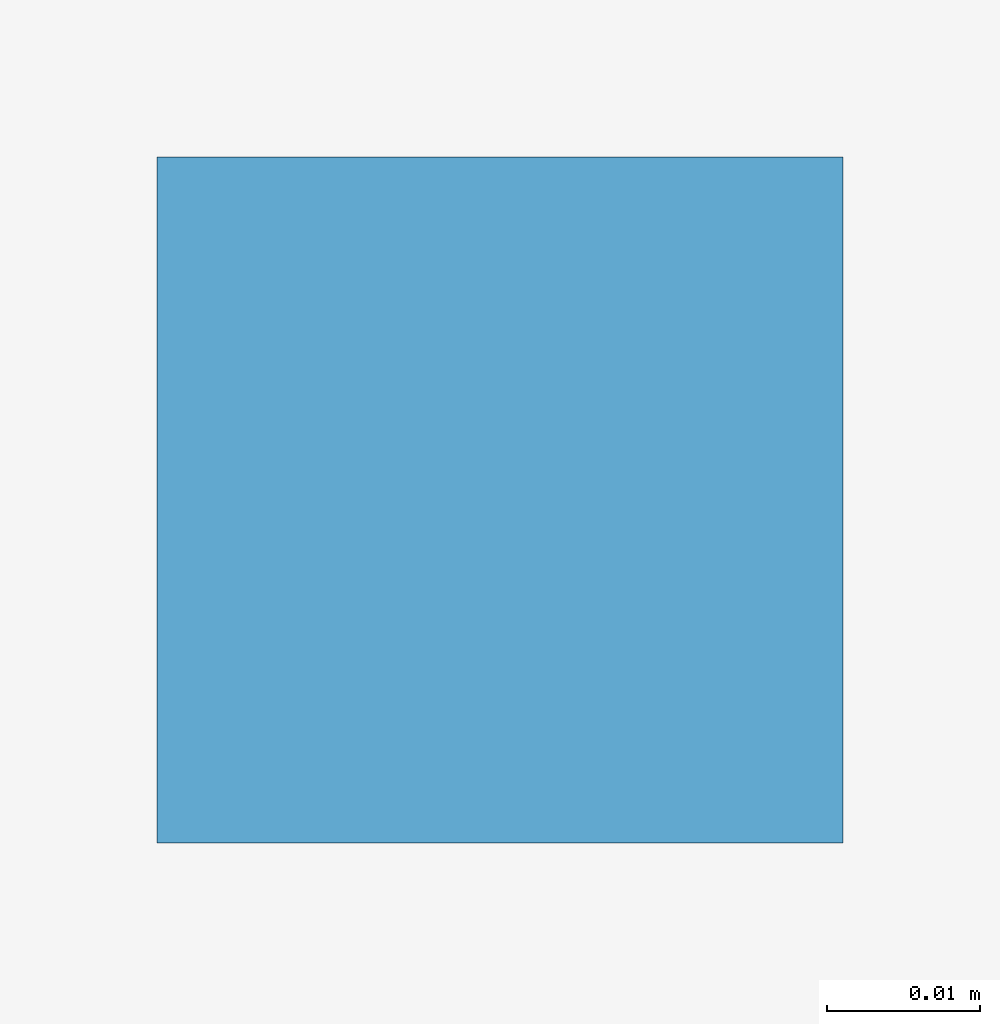
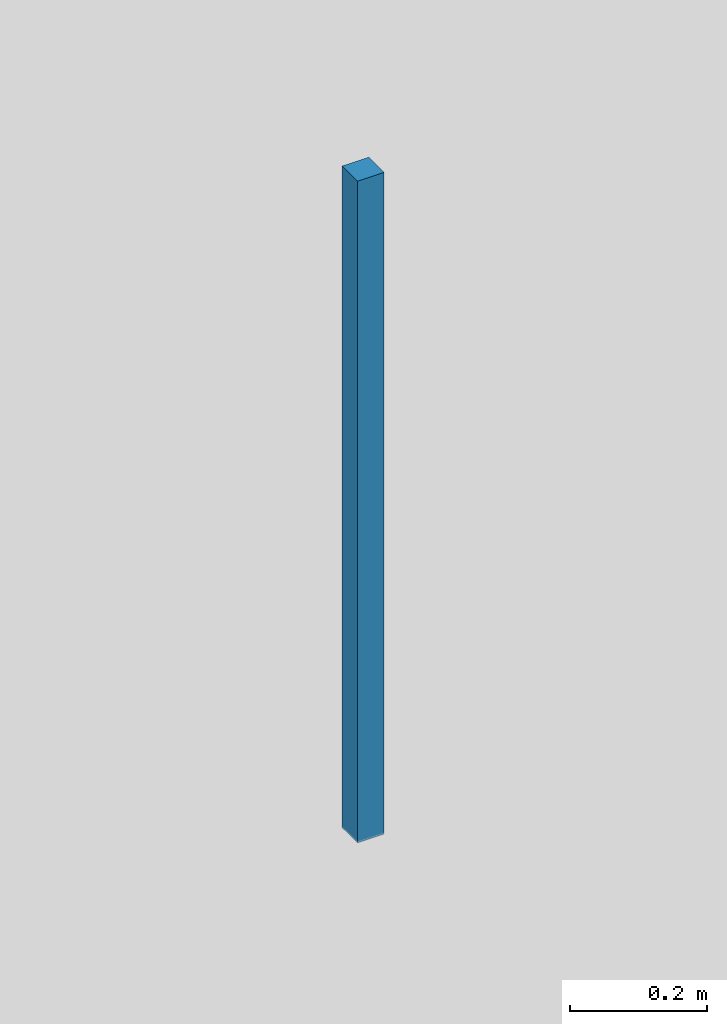
# One storey, part 39 of 48: 1 discrete accessory.
"""IFC4 building model written with IfcOpenShell, lengths in metres."""

from ifc_helpers import new_model, si_unit, direction, frame, origin, origin_2d, place, context, subcontext, project, spatial, rectangle, extrude, material, type_object, element, save


model = new_model("IFC4")

# Units and contexts
model_context = context("Model", 3, precision=1e-05, world=origin(), true_north=direction((0.0, 1.0)))
body_context = subcontext(model_context, "Body", "Model", "MODEL_VIEW")
ifc_project = project(units=[si_unit("LENGTHUNIT", "METRE"), si_unit("AREAUNIT", "SQUARE_METRE"), si_unit("VOLUMEUNIT", "CUBIC_METRE"), si_unit("PLANEANGLEUNIT", "RADIAN"), si_unit("MASSUNIT", "GRAM", prefix="KILO"), si_unit("THERMODYNAMICTEMPERATUREUNIT", "KELVIN"), si_unit("POWERUNIT", "WATT")], contexts=[model_context])

# Site, building, storey
site_placement = place(None, origin())
site = spatial("IfcSite", under=ifc_project, at=site_placement, CompositionType="ELEMENT")
building_placement = place(site_placement, origin())
building = spatial("IfcBuilding", under=site, at=building_placement, Name="Tallowbark Science Centre", CompositionType="ELEMENT")
storey_placement = place(building_placement, frame((0.0, 0.0, -4.5)))
storey = spatial("IfcBuildingStorey", under=building, at=storey_placement, Name="B1", CompositionType="ELEMENT", Elevation=-4.5)

# Discrete accessory
ifc_material = material(Name="Galvanised Steel Grade C350L0 (350 MPa)", Category="steel")
discrete_accessory_type = type_object("IfcDiscreteAccessoryType", Name="ACC-CLG-HNG", PredefinedType="BRACKET", material=ifc_material)
discrete_accessory_placement = place(storey_placement, frame((116.333251953125, 88.625, 3.10595703125), z_axis=(0.0, 0.0, 1.0), x_axis=(1.0, 0.0, 0.0)))
element("IfcDiscreteAccessory", 1, at=discrete_accessory_placement, inside=storey, type_object=discrete_accessory_type, Name="Ceiling Hanger Bracket B1-63", PredefinedType="BRACKET", context=body_context, shape_type="SweptSolid", body=[
    extrude(rectangle(XDim=0.044921875, YDim=0.044921875, at=origin_2d()), origin(), (0.0, 0.0, 1.0), 1.177001953125),
])

save(model, "model.ifc")
